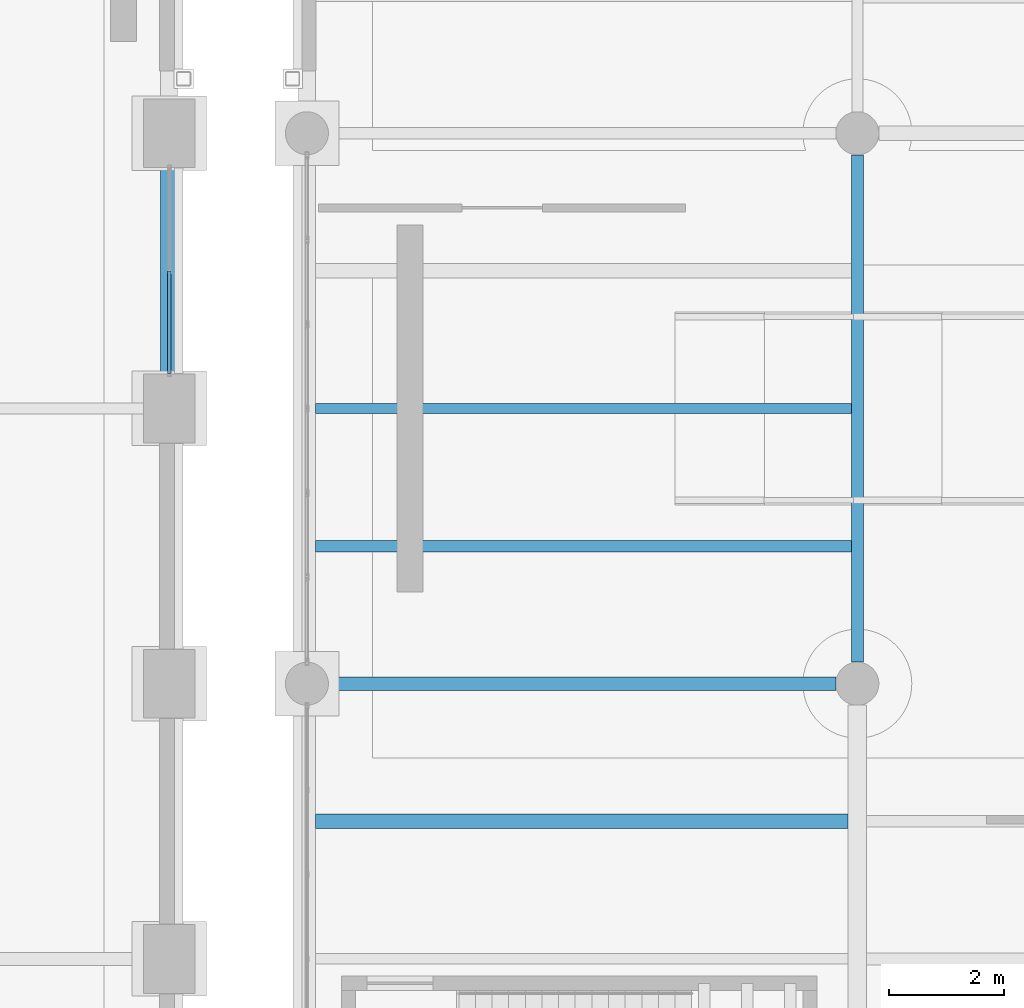
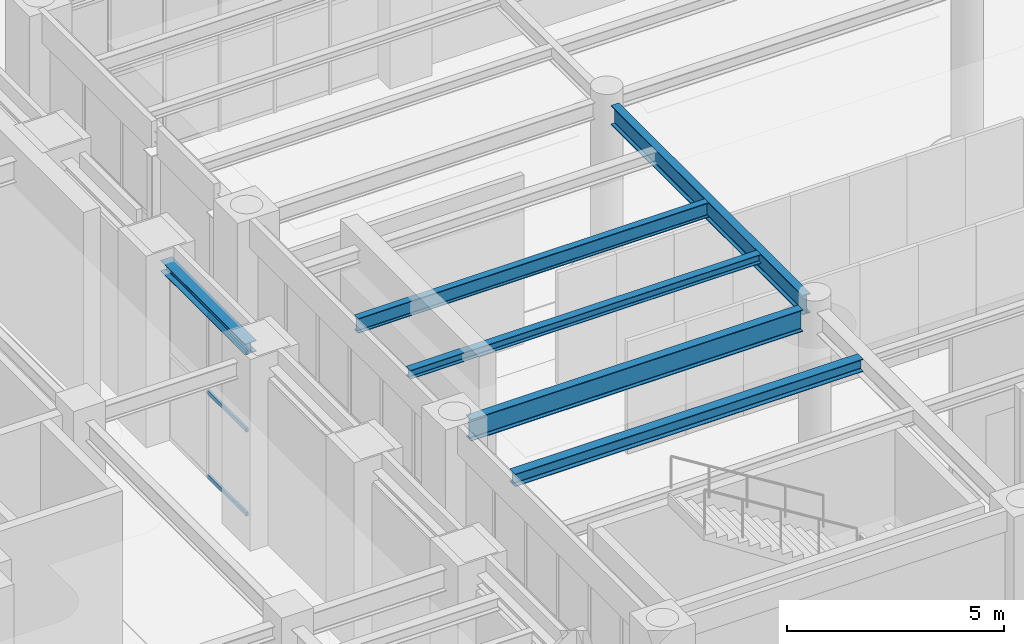
# One storey, part 44 of 164: 6 beams, 3 members, 1 element without a shape of its own.
"""IFC4 building model written with IfcOpenShell, lengths in metres."""

from ifc_helpers import new_model, si_unit, direction, frame, origin, origin_2d, place, context, subcontext, project, spatial, hollow_rectangle, i_section, extrude, material, material_profile, profile_set, type_object, element, aggregate, save


model = new_model("IFC4")

# Units and contexts
model_context = context("Model", 3, precision=1e-05, world=origin(), true_north=direction((0.0, 1.0)))
body_context = subcontext(model_context, "Body", "Model", "MODEL_VIEW")
ifc_project = project(units=[si_unit("LENGTHUNIT", "METRE"), si_unit("AREAUNIT", "SQUARE_METRE"), si_unit("VOLUMEUNIT", "CUBIC_METRE"), si_unit("PLANEANGLEUNIT", "RADIAN"), si_unit("MASSUNIT", "GRAM", prefix="KILO")], contexts=[model_context])

# Site, building, storey
site_placement = place(None, origin())
site = spatial("IfcSite", under=ifc_project, at=site_placement, CompositionType="ELEMENT")
building_placement = place(site_placement, origin())
building = spatial("IfcBuilding", under=site, at=building_placement, Name="Mavantir Sound Aquarium", CompositionType="ELEMENT")
storey_placement = place(building_placement, origin())
storey = spatial("IfcBuildingStorey", under=building, at=storey_placement, Name="L00", CompositionType="ELEMENT", Elevation=0.0)

# Beams
ifc_material_1 = material(Name="Structural Steel ASTM A992 Gr50", Category="steel")
ifc_material_profile_1 = material_profile(ifc_material_1, i_section(OverallWidth=0.202880859375, OverallDepth=0.251953125, WebThickness=0.008056640625, FlangeThickness=0.013427734375, FilletRadius=0.011962890625, at=origin_2d()), Name="W250X58")
ifc_profile_set_1 = profile_set([ifc_material_profile_1], Name="Structural Steel ASTM A992 Gr50")
beam_type_1 = type_object("IfcBeamType", Name="BM-W250X58-I", PredefinedType="JOIST", material=ifc_profile_set_1)
beam_1_placement = place(storey_placement, frame((36.152587890625, 52.800048828125, 4.969970703125), z_axis=(1.0, 0.0, 0.0), x_axis=(0.0, 1.0, 0.0)))
element("IfcBeam", 1, at=beam_1_placement, inside=storey, type_object=beam_type_1, Name="L00 secondary floor joist SJ-25 468", PredefinedType="JOIST", context=body_context, shape_type="SweptSolid", body=[
    extrude(i_section(OverallWidth=0.202880859375, OverallDepth=0.251953125, WebThickness=0.008056640625, FlangeThickness=0.013427734375, FilletRadius=0.011962890625, at=origin_2d()), origin(), (0.0, 0.0, 1.0), 9.34130859375),
])
ifc_material_profile_2 = material_profile(ifc_material_1, i_section(OverallWidth=0.304931640625, OverallDepth=0.30810546875, WebThickness=0.010009765625, FlangeThickness=0.015380859375, FilletRadius=0.014892578125, at=origin_2d()), Name="W310X97")
ifc_profile_set_2 = profile_set([ifc_material_profile_2], Name="Structural Steel ASTM A992 Gr50")
beam_type_2 = type_object("IfcBeamType", Name="BM-W310X97-E", PredefinedType="SPANDREL", material=ifc_profile_set_2)
beam_2_placement = place(storey_placement, frame((33.60009765625, 55.64990234375, 4.842041015625), z_axis=(0.0, 1.0, 0.0), x_axis=(-1.0, 0.0, 0.0)))
element("IfcBeam", 2, at=beam_2_placement, inside=storey, type_object=beam_type_2, Name="L00 primary girder SS-31A 861", PredefinedType="SPANDREL", context=body_context, shape_type="SweptSolid", body=[
    extrude(i_section(OverallWidth=0.304931640625, OverallDepth=0.30810546875, WebThickness=0.010009765625, FlangeThickness=0.015380859375, FilletRadius=0.014892578125, at=origin_2d()), origin(), (0.0, 0.0, 1.0), 3.900146484375),
])
ifc_material_profile_3 = material_profile(ifc_material_1, i_section(OverallWidth=0.25390625, OverallDepth=0.35302734375, WebThickness=0.009521484375, FlangeThickness=0.016357421875, FilletRadius=0.014892578125, at=origin_2d()), Name="W360X91")
ifc_profile_set_3 = profile_set([ifc_material_profile_3], Name="Structural Steel ASTM A992 Gr50")
beam_type_3 = type_object("IfcBeamType", Name="BM-W360X91-I", PredefinedType="JOIST", material=ifc_profile_set_3)
beam_3_placement = place(storey_placement, frame((36.152587890625, 48.0, 4.91943359375), z_axis=(1.0, 0.0, 0.0), x_axis=(0.0, 1.0, 0.0)))
element("IfcBeam", 3, at=beam_3_placement, inside=storey, type_object=beam_type_3, Name="L00 secondary floor joist SJ-36 462", PredefinedType="JOIST", context=body_context, shape_type="SweptSolid", body=[
    extrude(i_section(OverallWidth=0.25390625, OverallDepth=0.35302734375, WebThickness=0.009521484375, FlangeThickness=0.016357421875, FilletRadius=0.014892578125, at=origin_2d()), origin(), (0.0, 0.0, 1.0), 9.285400390625),
])
ifc_material_profile_4 = material_profile(ifc_material_1, i_section(OverallWidth=0.180908203125, OverallDepth=0.4169921875, WebThickness=0.010986328125, FlangeThickness=0.018310546875, FilletRadius=0.014892578125, at=origin_2d()), Name="W410X85")
ifc_profile_set_4 = profile_set([ifc_material_profile_4], Name="Structural Steel ASTM A992 Gr50")
beam_type_4 = type_object("IfcBeamType", Name="BM-W410X85-I", PredefinedType="JOIST", material=ifc_profile_set_4)
beam_4_placement = place(storey_placement, frame((36.152587890625, 55.199951171875, 4.887451171875), z_axis=(1.0, 0.0, 0.0), x_axis=(0.0, 1.0, 0.0)))
element("IfcBeam", 4, at=beam_4_placement, inside=storey, type_object=beam_type_4, Name="L00 secondary floor joist SJ-41 469", PredefinedType="JOIST", context=body_context, shape_type="SweptSolid", body=[
    extrude(i_section(OverallWidth=0.180908203125, OverallDepth=0.4169921875, WebThickness=0.010986328125, FlangeThickness=0.018310546875, FilletRadius=0.014892578125, at=origin_2d()), origin(), (0.0, 0.0, 1.0), 9.34130859375),
])
ifc_material_profile_5 = material_profile(ifc_material_1, i_section(OverallWidth=0.2119140625, OverallDepth=0.5439453125, WebThickness=0.01318359375, FlangeThickness=0.021240234375, FilletRadius=0.01806640625, at=origin_2d()), Name="W530X123")
ifc_profile_set_5 = profile_set([ifc_material_profile_5], Name="Structural Steel ASTM A992 Gr50")
beam_type_5 = type_object("IfcBeamType", Name="BM-W530X123-I", PredefinedType="BEAM", material=ifc_profile_set_5)
beam_5_placement = place(storey_placement, frame((45.60009765625, 50.77490234375, 4.823974609375), z_axis=(0.0, 1.0, 0.0), x_axis=(-1.0, 0.0, 0.0)))
element("IfcBeam", 5, at=beam_5_placement, inside=storey, type_object=beam_type_5, Name="L00 primary girder SB-53 881", PredefinedType="BEAM", context=body_context, shape_type="SweptSolid", body=[
    extrude(i_section(OverallWidth=0.2119140625, OverallDepth=0.5439453125, WebThickness=0.01318359375, FlangeThickness=0.021240234375, FilletRadius=0.01806640625, at=origin_2d()), origin(), (0.0, 0.0, 1.0), 8.85009765625),
])
ifc_material_profile_6 = material_profile(ifc_material_1, i_section(OverallWidth=0.22900390625, OverallDepth=0.612060546875, WebThickness=0.011962890625, FlangeThickness=0.01953125, FilletRadius=0.01904296875, at=origin_2d()), Name="W610X125")
ifc_profile_set_6 = profile_set([ifc_material_profile_6], Name="Structural Steel ASTM A992 Gr50")
beam_type_6 = type_object("IfcBeamType", Name="BM-W610X125-I", PredefinedType="BEAM", material=ifc_profile_set_6)
beam_6_placement = place(storey_placement, frame((36.375, 50.39990234375, 4.7900390625), z_axis=(1.0, 0.0, 0.0), x_axis=(0.0, 1.0, 0.0)))
element("IfcBeam", 6, at=beam_6_placement, inside=storey, type_object=beam_type_6, Name="L00 primary beam SB-61B 869", PredefinedType="BEAM", context=body_context, shape_type="SweptSolid", body=[
    extrude(i_section(OverallWidth=0.22900390625, OverallDepth=0.612060546875, WebThickness=0.011962890625, FlangeThickness=0.01953125, FilletRadius=0.01904296875, at=origin_2d()), origin(), (0.0, 0.0, 1.0), 8.85009765625),
])

# Curtain wall, members
ifc_material_2 = material(Name="Anodised Marine Aluminium and Low-E Glass", Category="aluminium")
curtain_wall_type = type_object("IfcCurtainWallType", Name="CW-T01", PredefinedType="USERDEFINED", material=ifc_material_2)
curtain_wall_placement = place(storey_placement, origin())
curtain_wall = element("IfcCurtainWall", 7, at=curtain_wall_placement, inside=storey, type_object=curtain_wall_type, Name="L00 unitised curtain wall CW-01 1", ObjectType="UNITISED GLAZING", PredefinedType="USERDEFINED")
ifc_material_3 = material(Name="Anodised Marine Aluminium 6063-T6", Category="aluminium")
ifc_material_profile_7 = material_profile(ifc_material_3, hollow_rectangle(XDim=0.06005859375, YDim=0.110107421875, WallThickness=0.00390625, at=origin_2d()), Name="ALU-TRANSOM-110X60")
ifc_profile_set_7 = profile_set([ifc_material_profile_7], Name="Anodised Marine Aluminium 6063-T6")
member_type = type_object("IfcMemberType", Name="CW-TRN-110", PredefinedType="USERDEFINED", material=ifc_profile_set_7)
member_1_placement = place(storey_placement, frame((33.60009765625, 55.80810546875, 0.054931640625), z_axis=(0.0, 1.0, 0.0), x_axis=(-1.0, 0.0, 0.0)))
member_1 = element("IfcMember", 8, at=member_1_placement, type_object=member_type, Name="CW-L00-001 transom 1.1", ObjectType="TRANSOM", PredefinedType="USERDEFINED", context=body_context, shape_type="SweptSolid", body=[
    extrude(hollow_rectangle(XDim=0.06005859375, YDim=0.110107421875, WallThickness=0.00390625, at=origin_2d()), origin(), (0.0, 0.0, 1.0), 1.7919921875),
])
member_2_placement = place(storey_placement, frame((33.60009765625, 55.80810546875, 2.422119140625), z_axis=(0.0, 1.0, 0.0), x_axis=(-1.0, 0.0, 0.0)))
member_2 = element("IfcMember", 9, at=member_2_placement, type_object=member_type, Name="CW-L00-001 transom 1.2", ObjectType="TRANSOM", PredefinedType="USERDEFINED", context=body_context, shape_type="SweptSolid", body=[
    extrude(hollow_rectangle(XDim=0.06005859375, YDim=0.110107421875, WallThickness=0.00390625, at=origin_2d()), origin(), (0.0, 0.0, 1.0), 1.7919921875),
])
member_3_placement = place(storey_placement, frame((33.60009765625, 55.80810546875, 4.60302734375), z_axis=(0.0, 1.0, 0.0), x_axis=(-1.0, 0.0, 0.0)))
member_3 = element("IfcMember", 10, at=member_3_placement, type_object=member_type, Name="CW-L00-001 transom 1.3", ObjectType="TRANSOM", PredefinedType="USERDEFINED", context=body_context, shape_type="SweptSolid", body=[
    extrude(hollow_rectangle(XDim=0.06005859375, YDim=0.110107421875, WallThickness=0.00390625, at=origin_2d()), origin(), (0.0, 0.0, 1.0), 1.7919921875),
])
aggregate(curtain_wall, [member_1, member_2, member_3])

save(model, "model.ifc")
